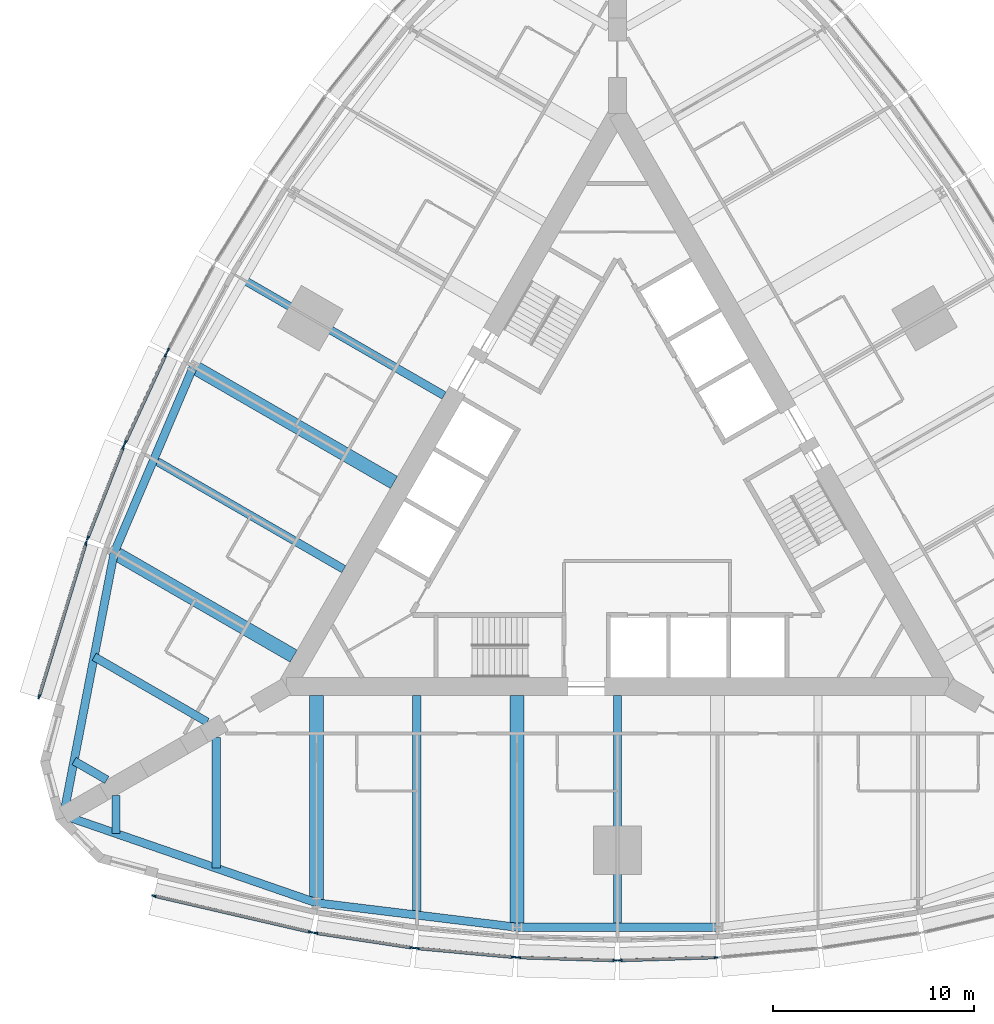
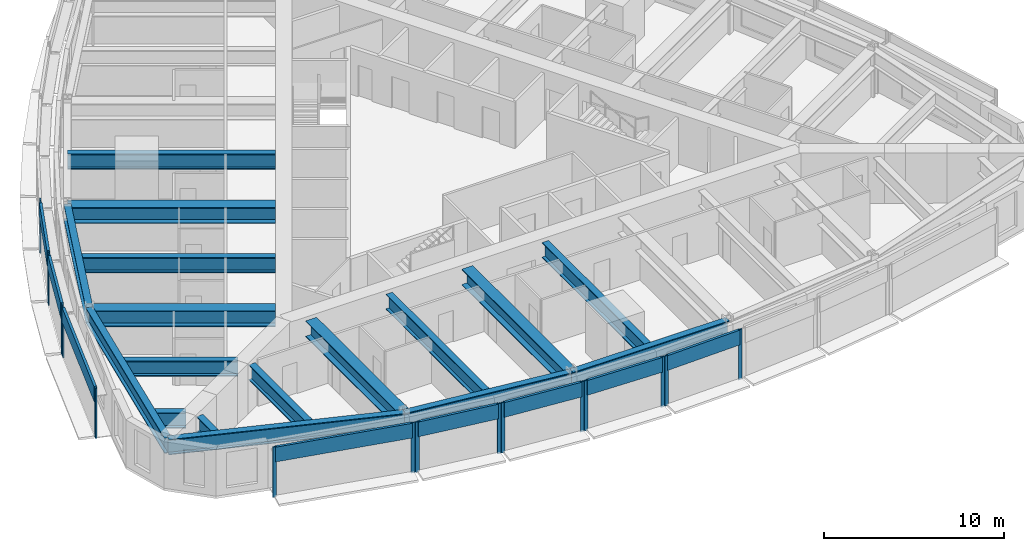
# One storey, part 2 of 14: 25 members, 17 beams, 9 elements without a shape of their own.
"""IFC4 building model written with IfcOpenShell, lengths in metres."""

import ifcopenshell
import ifcopenshell.guid

model = None  # the IFC model being written
_history = None  # IfcOwnerHistory: only IFC2X3 demands one
_inside = {}  # id of a spatial element -> (the spatial element, [elements in it])
_under = {}  # id of a project, library or spatial element -> (it, [spatial elements below it])
_declared = {}  # id of a project -> (the project, [libraries it declares])
_typed = {}  # id of a type object -> (the type object, [elements of that type])
_made_of = {}  # id of a material, layer set ... -> (it, [elements and type objects made of it])


def new_model(schema):
    """Start an empty IFC model of exactly this schema.

    Asked for "IFC4X3", IfcOpenShell would pick the latest addendum, in which some entities
    have other attributes; the version numbers below select the first issue.
    IFC2X3 requires an IfcOwnerHistory on every rooted entity: one is made here for all.
    """
    global model, _history
    if schema == "IFC4X3":
        model = ifcopenshell.file(schema_version=(4, 3, 0, 0))
    else:
        model = ifcopenshell.file(schema=schema)
    _inside.clear()
    _under.clear()
    _declared.clear()
    _typed.clear()
    _made_of.clear()
    _history = None
    if model.schema == "IFC2X3":
        org = make("IfcOrganization", Name="unknown")
        user = make(
            "IfcPersonAndOrganization",
            ThePerson=make("IfcPerson", FamilyName="unknown"),
            TheOrganization=org,
        )
        app = make(
            "IfcApplication",
            ApplicationDeveloper=org,
            Version="unknown",
            ApplicationFullName="unknown",
            ApplicationIdentifier="unknown",
        )
        _history = make(
            "IfcOwnerHistory",
            OwningUser=user,
            OwningApplication=app,
            ChangeAction="ADDED",
            CreationDate=0,
        )
    return model


def make(cls, **values):
    """One entity of the class cls with the attributes given. An attribute that is None is left unset."""
    return model.create_entity(
        cls, **{name: value for name, value in values.items() if value is not None}
    )


def rooted(cls, **values):
    """An entity with a GlobalId (a new one), such as an element, a storey or a relation."""
    return make(cls, GlobalId=ifcopenshell.guid.new(), OwnerHistory=_history, **values)


def si_unit(unit_type, name, prefix=None):
    """IfcSIUnit, for example si_unit("LENGTHUNIT", "METRE", prefix="MILLI")."""
    return make("IfcSIUnit", UnitType=unit_type, Prefix=prefix, Name=name)


def assignment(units):
    """IfcUnitAssignment: the units of a project."""
    return None if units is None else make("IfcUnitAssignment", Units=units)


def point(xyz):
    """IfcCartesianPoint."""
    return None if xyz is None else make("IfcCartesianPoint", Coordinates=xyz)


def direction(xyz):
    """IfcDirection."""
    return None if xyz is None else make("IfcDirection", DirectionRatios=xyz)


def frame(location, z_axis=None, x_axis=None):
    """IfcAxis2Placement3D, a coordinate frame: its origin and axes. An axis left out is left unset."""
    return make(
        "IfcAxis2Placement3D",
        Location=point(location),
        Axis=direction(z_axis),
        RefDirection=direction(x_axis),
    )


def frame_2d(location, x_axis=None):
    """IfcAxis2Placement2D, a coordinate frame in the plane: its origin and x axis."""
    return make(
        "IfcAxis2Placement2D", Location=point(location), RefDirection=direction(x_axis)
    )


def origin():
    """The frame at (0, 0, 0) with its axes left unset."""
    return frame((0.0, 0.0, 0.0))


def origin_2d():
    """The frame at (0, 0) in the plane with its x axis left unset."""
    return frame_2d((0.0, 0.0))


def place(relative_to, where):
    """IfcLocalPlacement: puts the frame where relative to a parent placement (None: the world)."""
    return make(
        "IfcLocalPlacement", PlacementRelTo=relative_to, RelativePlacement=where
    )


def context(
    kind, dimensions, precision=None, world=None, true_north=None, identifier=None
):
    """IfcGeometricRepresentationContext, for example the 3D "Model" context."""
    return make(
        "IfcGeometricRepresentationContext",
        ContextIdentifier=identifier,
        ContextType=kind,
        CoordinateSpaceDimension=dimensions,
        Precision=precision,
        WorldCoordinateSystem=world,
        TrueNorth=true_north,
    )


def subcontext(parent, identifier, kind, view, scale=None):
    """IfcGeometricRepresentationSubContext, for example "Body" below "Model"."""
    return make(
        "IfcGeometricRepresentationSubContext",
        ContextIdentifier=identifier,
        ContextType=kind,
        ParentContext=parent,
        TargetScale=scale,
        TargetView=view,
    )


def project(units=None, contexts=None):
    """IfcProject with its units and contexts."""
    return rooted(
        "IfcProject",
        Name="project",
        RepresentationContexts=contexts,
        UnitsInContext=assignment(units),
    )


def spatial(cls, under=None, at=None, **own):
    """A site, building, storey or space (cls), placed at a placement, below another one or the project."""
    s = rooted(cls, ObjectPlacement=at, **own)
    if under is not None:
        _under.setdefault(under.id(), (under, []))[1].append(s)
    return s


def profile(cls, at=None, kind="AREA", **sizes):
    """A parametric profile (cls). Its sizes go by their IFC names, for example OverallWidth=200.0."""
    return make(cls, ProfileType=kind, Position=at, **sizes)


def rectangle(**sizes):
    """IfcRectangleProfileDef."""
    return profile("IfcRectangleProfileDef", **sizes)


def i_section(**sizes):
    """IfcIShapeProfileDef."""
    return profile("IfcIShapeProfileDef", **sizes)


def extrude(swept, where, along, depth):
    """IfcExtrudedAreaSolid: the profile swept, set in the frame where, extruded along a direction by depth."""
    return make(
        "IfcExtrudedAreaSolid",
        SweptArea=swept,
        Position=where,
        ExtrudedDirection=direction(along),
        Depth=depth,
    )


def shape(context_of_items, identifier, shape_type, items):
    """IfcShapeRepresentation: the items that make up one representation, for example the "Body"."""
    return make(
        "IfcShapeRepresentation",
        ContextOfItems=context_of_items,
        RepresentationIdentifier=identifier,
        RepresentationType=shape_type,
        Items=items,
    )


def material(Name=None, Category=None):
    """IfcMaterial."""
    return make("IfcMaterial", Name=Name, Category=Category)


def material_profile(
    of_material, cross_section, Name=None, Category=None, Priority=None
):
    """IfcMaterialProfile: a cross section and its material."""
    return make(
        "IfcMaterialProfile",
        Name=Name,
        Material=of_material,
        Profile=cross_section,
        Priority=Priority,
        Category=Category,
    )


def profile_set(profiles, Name=None, composite=None):
    """IfcMaterialProfileSet."""
    return make(
        "IfcMaterialProfileSet",
        Name=Name,
        MaterialProfiles=profiles,
        CompositeProfile=composite,
    )


def made_of(thing, what):
    """Note that an element or type object is made of a material, layer set ...; save() writes the relation."""
    if what is not None:
        _made_of.setdefault(what.id(), (what, []))[1].append(thing)
    return thing


def type_object(cls, material=None, **own):
    """A type object (cls), such as IfcWallType, which elements share."""
    return made_of(rooted(cls, **own), material)


def element(
    cls,
    number,
    at=None,
    inside=None,
    cuts=None,
    type_object=None,
    material=None,
    context=None,
    identifier="Body",
    shape_type=None,
    held_by="IfcProductDefinitionShape",
    body=None,
    shapes=None,
    **own,
):
    """One element of the class cls, such as IfcWall. Its Tag is "e" and its number.

    at: its placement. inside: the storey or other place that contains it. cuts: it is an
    opening in that element (IfcRelVoidsElement). A single representation is given by context,
    identifier, shape_type and body (its items); several are given by shapes. held_by: the class
    of the entity that holds the representations. save() writes the other relations.
    """
    e = rooted(cls, Tag="e%d" % number, ObjectPlacement=at, **own)
    if body is not None:
        shapes = [shape(context, identifier, shape_type, body)]
    if shapes is not None:
        e.Representation = make(held_by, Representations=shapes)
    if inside is not None:
        _inside.setdefault(inside.id(), (inside, []))[1].append(e)
    if cuts is not None:
        rooted(
            "IfcRelVoidsElement", RelatingBuildingElement=cuts, RelatedOpeningElement=e
        )
    if type_object is not None:
        _typed.setdefault(type_object.id(), (type_object, []))[1].append(e)
    return made_of(e, material)


def aggregate(whole, parts):
    """IfcRelAggregates: a whole, such as a stair, and the parts it consists of."""
    return rooted("IfcRelAggregates", RelatingObject=whole, RelatedObjects=parts)


def save(model, path):
    """Write the relations noted so far, then the file.

    IfcRelAggregates (storeys below a building ...), IfcRelContainedInSpatialStructure (elements
    in a storey), IfcRelDefinesByType, IfcRelAssociatesMaterial and IfcRelDeclares: one each for
    every whole, place, type object, material and project.
    """
    for whole, parts in _under.values():
        aggregate(whole, parts)
    for where, things in _inside.values():
        rooted(
            "IfcRelContainedInSpatialStructure",
            RelatedElements=things,
            RelatingStructure=where,
        )
    for kind, things in _typed.values():
        rooted("IfcRelDefinesByType", RelatedObjects=things, RelatingType=kind)
    for what, things in _made_of.values():
        rooted("IfcRelAssociatesMaterial", RelatedObjects=things, RelatingMaterial=what)
    for by, libraries in _declared.values():
        rooted("IfcRelDeclares", RelatingContext=by, RelatedDefinitions=libraries)
    model.write(path)


model = new_model("IFC4")

# Units and contexts
model_context = context("Model", 3, precision=1e-05, world=origin(), true_north=direction((0.0, 1.0)))
body_context = subcontext(model_context, "Body", "Model", "MODEL_VIEW")
ifc_project = project(units=[si_unit("LENGTHUNIT", "METRE"), si_unit("AREAUNIT", "SQUARE_METRE"), si_unit("VOLUMEUNIT", "CUBIC_METRE"), si_unit("PLANEANGLEUNIT", "RADIAN"), si_unit("MASSUNIT", "GRAM", prefix="KILO")], contexts=[model_context])

# Site, building, storey
site_placement = place(None, origin())
site = spatial("IfcSite", under=ifc_project, at=site_placement, CompositionType="ELEMENT")
building_placement = place(site_placement, origin())
building = spatial("IfcBuilding", under=site, at=building_placement, Name="Trikona Tower", CompositionType="ELEMENT")
storey_placement = place(building_placement, frame((0.0, 0.0, 99.89990234375)))
storey = spatial("IfcBuildingStorey", under=building, at=storey_placement, Name="L26", CompositionType="ELEMENT", Elevation=99.89990234375)

# Curtain wall, members
ifc_material_1 = material(Name="Aluminium curtain wall system", Category="aluminium")
curtain_wall_type = type_object("IfcCurtainWallType", Name="Curtain wall DS1S", PredefinedType="NOTDEFINED", material=ifc_material_1)
curtain_wall_1_placement = place(storey_placement, origin())
curtain_wall_1 = element("IfcCurtainWall", 1, at=curtain_wall_1_placement, inside=storey, type_object=curtain_wall_type, Name="Curtain wall DS1S L26", PredefinedType="NOTDEFINED")
ifc_material_2 = material(Name="Aluminium mullion, pale anodised", Category="aluminium")
ifc_material_profile_1 = material_profile(ifc_material_2, rectangle(XDim=0.080078125, YDim=0.219970703125, at=origin_2d()), Name="MUL-DS1S")
ifc_profile_set_1 = profile_set([ifc_material_profile_1], Name="Aluminium mullion, pale anodised")
member_type_1 = type_object("IfcMemberType", Name="Mullion DS1S 80x220", PredefinedType="MULLION", material=ifc_profile_set_1)
member_1_placement = place(storey_placement, frame((-23.10546875, -19.951904296875, 0.0), z_axis=(0.0, 0.0, 1.0), x_axis=(0.225343288756, 0.974279427173, 0.0)))
member_1 = element("IfcMember", 2, at=member_1_placement, type_object=member_type_1, Name="CW-DS1S mullion 1", PredefinedType="MULLION", context=body_context, shape_type="SweptSolid", body=[
    extrude(rectangle(XDim=0.080078125, YDim=0.219970703125, at=origin_2d()), origin(), (0.0, 0.0, 1.0), 3.400146484375),
])
member_2_placement = place(storey_placement, frame((-15.30029296875, -21.75732421875, 0.0), z_axis=(0.0, 0.0, 1.0), x_axis=(0.225343288756, 0.974279427173, 0.0)))
member_2 = element("IfcMember", 3, at=member_2_placement, type_object=member_type_1, Name="CW-DS1S mullion 2", PredefinedType="MULLION", context=body_context, shape_type="SweptSolid", body=[
    extrude(rectangle(XDim=0.080078125, YDim=0.219970703125, at=origin_2d()), origin(), (0.0, 0.0, 1.0), 3.400146484375),
])

curtain_wall_2_placement = place(storey_placement, origin())
curtain_wall_2 = element("IfcCurtainWall", 4, at=curtain_wall_2_placement, inside=storey, type_object=curtain_wall_type, Name="Curtain wall DS1S L26", PredefinedType="NOTDEFINED")
member_3_placement = place(storey_placement, frame((-15.03662109375, -21.807861328125, 0.0), z_axis=(0.0, 0.0, 1.0), x_axis=(0.150437693845, 0.988619492156, 0.0)))
member_3 = element("IfcMember", 5, at=member_3_placement, type_object=member_type_1, Name="CW-DS1S mullion 1", PredefinedType="MULLION", context=body_context, shape_type="SweptSolid", body=[
    extrude(rectangle(XDim=0.080078125, YDim=0.219970703125, at=origin_2d()), origin(), (0.0, 0.0, 1.0), 3.400146484375),
])
member_4_placement = place(storey_placement, frame((-10.234130859375, -22.53857421875, 0.0), z_axis=(0.0, 0.0, 1.0), x_axis=(0.150437693845, 0.988619492156, 0.0)))
member_4 = element("IfcMember", 6, at=member_4_placement, type_object=member_type_1, Name="CW-DS1S mullion 2", PredefinedType="MULLION", context=body_context, shape_type="SweptSolid", body=[
    extrude(rectangle(XDim=0.080078125, YDim=0.219970703125, at=origin_2d()), origin(), (0.0, 0.0, 1.0), 3.400146484375),
])

curtain_wall_3_placement = place(storey_placement, origin())
curtain_wall_3 = element("IfcCurtainWall", 7, at=curtain_wall_3_placement, inside=storey, type_object=curtain_wall_type, Name="Curtain wall DS1S L26", PredefinedType="NOTDEFINED")
member_5_placement = place(storey_placement, frame((-9.982177734375, -22.5693359375, 0.0), z_axis=(0.0, 0.0, 1.0), x_axis=(0.090923932737, 0.995857840485, 0.0)))
member_5 = element("IfcMember", 8, at=member_5_placement, type_object=member_type_1, Name="CW-DS1S mullion 1", PredefinedType="MULLION", context=body_context, shape_type="SweptSolid", body=[
    extrude(rectangle(XDim=0.080078125, YDim=0.219970703125, at=origin_2d()), origin(), (0.0, 0.0, 1.0), 3.400146484375),
])
member_6_placement = place(storey_placement, frame((-5.181396484375, -23.007568359375, 0.0), z_axis=(0.0, 0.0, 1.0), x_axis=(0.090923932737, 0.995857840485, 0.0)))
member_6 = element("IfcMember", 9, at=member_6_placement, type_object=member_type_1, Name="CW-DS1S mullion 2", PredefinedType="MULLION", context=body_context, shape_type="SweptSolid", body=[
    extrude(rectangle(XDim=0.080078125, YDim=0.219970703125, at=origin_2d()), origin(), (0.0, 0.0, 1.0), 3.400146484375),
])

curtain_wall_4_placement = place(storey_placement, origin())
curtain_wall_4 = element("IfcCurtainWall", 10, at=curtain_wall_4_placement, inside=storey, type_object=curtain_wall_type, Name="Curtain wall DS1S L26", PredefinedType="NOTDEFINED")
member_7_placement = place(storey_placement, frame((-4.927490234375, -23.02294921875, 0.0), z_axis=(0.0, 0.0, 1.0), x_axis=(0.030436711692, 0.999536695965, 0.0)))
member_7 = element("IfcMember", 11, at=member_7_placement, type_object=member_type_1, Name="CW-DS1S mullion 1", PredefinedType="MULLION", context=body_context, shape_type="SweptSolid", body=[
    extrude(rectangle(XDim=0.080078125, YDim=0.219970703125, at=origin_2d()), origin(), (0.0, 0.0, 1.0), 3.400146484375),
])
member_8_placement = place(storey_placement, frame((-0.12744140625, -23.169189453125, 0.0), z_axis=(0.0, 0.0, 1.0), x_axis=(0.030436711692, 0.999536695965, 0.0)))
member_8 = element("IfcMember", 12, at=member_8_placement, type_object=member_type_1, Name="CW-DS1S mullion 2", PredefinedType="MULLION", context=body_context, shape_type="SweptSolid", body=[
    extrude(rectangle(XDim=0.080078125, YDim=0.219970703125, at=origin_2d()), origin(), (0.0, 0.0, 1.0), 3.400146484375),
])

curtain_wall_5_placement = place(storey_placement, origin())
curtain_wall_5 = element("IfcCurtainWall", 13, at=curtain_wall_5_placement, inside=storey, type_object=curtain_wall_type, Name="Curtain wall DS1S L26", PredefinedType="NOTDEFINED")
member_9_placement = place(storey_placement, frame((0.12744140625, -23.169189453125, 0.0), z_axis=(0.0, 0.0, 1.0), x_axis=(-0.030436711692, 0.999536695965, 0.0)))
member_9 = element("IfcMember", 14, at=member_9_placement, type_object=member_type_1, Name="CW-DS1S mullion 1", PredefinedType="MULLION", context=body_context, shape_type="SweptSolid", body=[
    extrude(rectangle(XDim=0.080078125, YDim=0.219970703125, at=origin_2d()), origin(), (0.0, 0.0, 1.0), 3.400146484375),
])
member_10_placement = place(storey_placement, frame((4.927490234375, -23.02294921875, 0.0), z_axis=(0.0, 0.0, 1.0), x_axis=(-0.030436711692, 0.999536695965, 0.0)))
member_10 = element("IfcMember", 15, at=member_10_placement, type_object=member_type_1, Name="CW-DS1S mullion 2", PredefinedType="MULLION", context=body_context, shape_type="SweptSolid", body=[
    extrude(rectangle(XDim=0.080078125, YDim=0.219970703125, at=origin_2d()), origin(), (0.0, 0.0, 1.0), 3.400146484375),
])

# Curtain wall, member
curtain_wall_6_placement = place(storey_placement, origin())
curtain_wall_6 = element("IfcCurtainWall", 16, at=curtain_wall_6_placement, inside=storey, type_object=curtain_wall_type, Name="Curtain wall DS1S L26", PredefinedType="NOTDEFINED")
member_11_placement = place(storey_placement, frame((-22.402099609375, 7.244140625, 0.0), z_axis=(0.0, 0.0, 1.0), x_axis=(0.880843080975, -0.473408350896, 0.0)))
member_11 = element("IfcMember", 17, at=member_11_placement, type_object=member_type_1, Name="CW-DS1S mullion 2", PredefinedType="MULLION", context=body_context, shape_type="SweptSolid", body=[
    extrude(rectangle(XDim=0.080078125, YDim=0.219970703125, at=origin_2d()), origin(), (0.0, 0.0, 1.0), 3.400146484375),
])
aggregate(curtain_wall_6, [member_11])

# Curtain wall, members
curtain_wall_7_placement = place(storey_placement, origin())
curtain_wall_7 = element("IfcCurtainWall", 18, at=curtain_wall_7_placement, inside=storey, type_object=curtain_wall_type, Name="Curtain wall DS1S L26", PredefinedType="NOTDEFINED")
member_12_placement = place(storey_placement, frame((-22.515869140625, 7.0166015625, 0.0), z_axis=(0.0, 0.0, 1.0), x_axis=(0.907898459992, -0.419190155352, 0.0)))
member_12 = element("IfcMember", 19, at=member_12_placement, type_object=member_type_1, Name="CW-DS1S mullion 1", PredefinedType="MULLION", context=body_context, shape_type="SweptSolid", body=[
    extrude(rectangle(XDim=0.080078125, YDim=0.219970703125, at=origin_2d()), origin(), (0.0, 0.0, 1.0), 3.400146484375),
])
member_13_placement = place(storey_placement, frame((-24.53662109375, 2.6396484375, 0.0), z_axis=(0.0, 0.0, 1.0), x_axis=(0.907898459992, -0.419190155352, 0.0)))
member_13 = element("IfcMember", 20, at=member_13_placement, type_object=member_type_1, Name="CW-DS1S mullion 2", PredefinedType="MULLION", context=body_context, shape_type="SweptSolid", body=[
    extrude(rectangle(XDim=0.080078125, YDim=0.219970703125, at=origin_2d()), origin(), (0.0, 0.0, 1.0), 3.400146484375),
])

curtain_wall_8_placement = place(storey_placement, origin())
curtain_wall_8 = element("IfcCurtainWall", 21, at=curtain_wall_8_placement, inside=storey, type_object=curtain_wall_type, Name="Curtain wall DS1S L26", PredefinedType="NOTDEFINED")
member_14_placement = place(storey_placement, frame((-24.63623046875, 2.40625, 0.0), z_axis=(0.0, 0.0, 1.0), x_axis=(0.931395989443, -0.36400756977, 0.0)))
member_14 = element("IfcMember", 22, at=member_14_placement, type_object=member_type_1, Name="CW-DS1S mullion 1", PredefinedType="MULLION", context=body_context, shape_type="SweptSolid", body=[
    extrude(rectangle(XDim=0.080078125, YDim=0.219970703125, at=origin_2d()), origin(), (0.0, 0.0, 1.0), 3.400146484375),
])
member_15_placement = place(storey_placement, frame((-26.404296875, -2.1181640625, 0.0), z_axis=(0.0, 0.0, 1.0), x_axis=(0.931395989443, -0.36400756977, 0.0)))
member_15 = element("IfcMember", 23, at=member_15_placement, type_object=member_type_1, Name="CW-DS1S mullion 2", PredefinedType="MULLION", context=body_context, shape_type="SweptSolid", body=[
    extrude(rectangle(XDim=0.080078125, YDim=0.219970703125, at=origin_2d()), origin(), (0.0, 0.0, 1.0), 3.400146484375),
])

curtain_wall_9_placement = place(storey_placement, origin())
curtain_wall_9 = element("IfcCurtainWall", 24, at=curtain_wall_9_placement, inside=storey, type_object=curtain_wall_type, Name="Curtain wall DS1S L26", PredefinedType="NOTDEFINED")
member_16_placement = place(storey_placement, frame((-26.492431640625, -2.371826171875, 0.0), z_axis=(0.0, 0.0, 1.0), x_axis=(0.956423115383, -0.291984287868, 0.0)))
member_16 = element("IfcMember", 25, at=member_16_placement, type_object=member_type_1, Name="CW-DS1S mullion 1", PredefinedType="MULLION", context=body_context, shape_type="SweptSolid", body=[
    extrude(rectangle(XDim=0.080078125, YDim=0.219970703125, at=origin_2d()), origin(), (0.0, 0.0, 1.0), 3.400146484375),
])
member_17_placement = place(storey_placement, frame((-28.83154296875, -10.033935546875, 0.0), z_axis=(0.0, 0.0, 1.0), x_axis=(0.956423115383, -0.291984287868, 0.0)))
member_17 = element("IfcMember", 26, at=member_17_placement, type_object=member_type_1, Name="CW-DS1S mullion 2", PredefinedType="MULLION", context=body_context, shape_type="SweptSolid", body=[
    extrude(rectangle(XDim=0.080078125, YDim=0.219970703125, at=origin_2d()), origin(), (0.0, 0.0, 1.0), 3.400146484375),
])

# Beams
ifc_material_3 = material(Name="Steel ASTM A992 Grade 50", Category="steel")
ifc_material_profile_2 = material_profile(ifc_material_3, i_section(OverallWidth=0.699951171875, OverallDepth=1.10009765625, WebThickness=0.0400390625, FlangeThickness=0.06005859375, at=origin_2d()), Name="PG1100X700")
ifc_profile_set_2 = profile_set([ifc_material_profile_2], Name="Steel ASTM A992 Grade 50")
beam_type_1 = type_object("IfcBeamType", Name="Steel beam PG1100x700 (belt chord radial)", PredefinedType="BEAM", material=ifc_profile_set_2)
beam_1_placement = place(storey_placement, frame((-15.0, -9.976318359375, 2.60009765625), z_axis=(0.0, -1.0, 0.0), x_axis=(1.0, 0.0, 0.0)))
element("IfcBeam", 27, at=beam_1_placement, inside=storey, type_object=beam_type_1, Name="Floor beam L27 F1 u-15", PredefinedType="BEAM", context=body_context, shape_type="SweptSolid", body=[
    extrude(i_section(OverallWidth=0.699951171875, OverallDepth=1.10009765625, WebThickness=0.0400390625, FlangeThickness=0.06005859375, at=origin_2d()), origin(), (0.0, 0.0, 1.0), 10.32666015625),
])
for number, where, z_axis, x_axis, name in (
    (28, (-5.0, -9.976318359375, 2.60009765625), (0.0, -1.0, 0.0), (1.0, 0.0, 0.0), "Floor beam L27 F1 u-5"),
    (29, (-11.1396484375, 0.657958984375, 2.60009765625), (-0.866020765707, 0.500008033299, 0.0), (-0.500008033299, -0.866020765707, 0.0), "Floor beam L27 F3 u5"),
):
    element("IfcBeam", number, at=place(storey_placement, frame(where, z_axis=z_axis, x_axis=x_axis)), inside=storey, type_object=beam_type_1, Name=name, PredefinedType="BEAM", context=body_context, shape_type="SweptSolid", body=[
        extrude(i_section(OverallWidth=0.699951171875, OverallDepth=1.10009765625, WebThickness=0.0400390625, FlangeThickness=0.06005859375, at=origin_2d()), origin(), (0.0, 0.0, 1.0), 11.544189453125),
    ])
beam_2_placement = place(storey_placement, frame((-16.1396484375, -8.002197265625, 2.60009765625), z_axis=(-0.866030471684, 0.499991222037, 0.0), x_axis=(-0.499991222037, -0.866030471684, 0.0)))
element("IfcBeam", 30, at=beam_2_placement, inside=storey, type_object=beam_type_1, Name="Floor beam L27 F3 u15", PredefinedType="BEAM", context=body_context, shape_type="SweptSolid", body=[
    extrude(i_section(OverallWidth=0.699951171875, OverallDepth=1.10009765625, WebThickness=0.0400390625, FlangeThickness=0.06005859375, at=origin_2d()), origin(), (0.0, 0.0, 1.0), 10.326904296875),
])
ifc_material_4 = material(Name="Steel ASTM A992 Grade 50", Category="steel")
ifc_material_profile_3 = material_profile(ifc_material_4, i_section(OverallWidth=0.408935546875, OverallDepth=1.04150390625, WebThickness=0.031005859375, FlangeThickness=0.055908203125, at=origin_2d()), Name="W40X397")
ifc_profile_set_3 = profile_set([ifc_material_profile_3], Name="Steel ASTM A992 Grade 50")
beam_type_2 = type_object("IfcBeamType", Name="Steel beam W40x397 (plant spandrel)", PredefinedType="SPANDREL", material=ifc_profile_set_3)
beam_3_placement = place(storey_placement, frame((-27.6103515625, -15.94091796875, 2.62939453125), z_axis=(0.945056965739, -0.326905692071, 0.0), x_axis=(0.326905692071, 0.945056965739, 0.0)))
element("IfcBeam", 31, at=beam_3_placement, inside=storey, type_object=beam_type_2, Name="Spandrel beam L27 F1-1", PredefinedType="SPANDREL", context=body_context, shape_type="SweptSolid", body=[
    extrude(i_section(OverallWidth=0.408935546875, OverallDepth=1.04150390625, WebThickness=0.031005859375, FlangeThickness=0.055908203125, at=origin_2d()), origin(), (0.0, 0.0, 1.0), 13.343505859375),
])
beam_4_placement = place(storey_placement, frame((-15.0, -20.302978515625, 2.62939453125), z_axis=(0.99266951126, -0.120860421207, 0.0), x_axis=(0.120860421207, 0.99266951126, 0.0)))
element("IfcBeam", 32, at=beam_4_placement, inside=storey, type_object=beam_type_2, Name="Spandrel beam L27 F1-2", PredefinedType="SPANDREL", context=body_context, shape_type="SweptSolid", body=[
    extrude(i_section(OverallWidth=0.408935546875, OverallDepth=1.04150390625, WebThickness=0.031005859375, FlangeThickness=0.055908203125, at=origin_2d()), origin(), (0.0, 0.0, 1.0), 10.07373046875),
])
beam_5_placement = place(storey_placement, frame((-5.0, -21.5205078125, 2.62939453125), z_axis=(1.0, 0.0, 0.0), x_axis=(0.0, 1.0, 0.0)))
element("IfcBeam", 33, at=beam_5_placement, inside=storey, type_object=beam_type_2, Name="Spandrel beam L27 F1-3", PredefinedType="SPANDREL", context=body_context, shape_type="SweptSolid", body=[
    extrude(i_section(OverallWidth=0.408935546875, OverallDepth=1.04150390625, WebThickness=0.031005859375, FlangeThickness=0.055908203125, at=origin_2d()), origin(), (0.0, 0.0, 1.0), 10.0),
])
beam_6_placement = place(storey_placement, frame((-21.13720703125, 6.43017578125, 2.62939453125), z_axis=(-0.391683514847, -0.920100007715, 0.0), x_axis=(0.920100007715, -0.391683514847, 0.0)))
element("IfcBeam", 34, at=beam_6_placement, inside=storey, type_object=beam_type_2, Name="Spandrel beam L27 F3-4", PredefinedType="SPANDREL", context=body_context, shape_type="SweptSolid", body=[
    extrude(i_section(OverallWidth=0.408935546875, OverallDepth=1.04150390625, WebThickness=0.031005859375, FlangeThickness=0.055908203125, at=origin_2d()), origin(), (0.0, 0.0, 1.0), 10.073974609375),
])
beam_7_placement = place(storey_placement, frame((-25.0830078125, -2.8388671875, 2.62939453125), z_axis=(-0.189405184036, -0.981899015307, 0.0), x_axis=(0.981899015307, -0.189405184036, 0.0)))
element("IfcBeam", 35, at=beam_7_placement, inside=storey, type_object=beam_type_2, Name="Spandrel beam L27 F3-5", PredefinedType="SPANDREL", context=body_context, shape_type="SweptSolid", body=[
    extrude(i_section(OverallWidth=0.408935546875, OverallDepth=1.04150390625, WebThickness=0.031005859375, FlangeThickness=0.055908203125, at=origin_2d()), origin(), (0.0, 0.0, 1.0), 13.343505859375),
])
ifc_material_5 = material(Name="Steel ASTM A992 Grade 50", Category="steel")
ifc_material_profile_4 = material_profile(ifc_material_5, i_section(OverallWidth=0.408935546875, OverallDepth=1.04150390625, WebThickness=0.031005859375, FlangeThickness=0.055908203125, at=origin_2d()), Name="W40X397")
ifc_profile_set_4 = profile_set([ifc_material_profile_4], Name="Steel ASTM A992 Grade 50")
beam_type_3 = type_object("IfcBeamType", Name="Steel beam W40x397 (plant)", PredefinedType="BEAM", material=ifc_profile_set_4)
beam_8_placement = place(storey_placement, frame((-10.0, -9.976318359375, 2.62939453125), z_axis=(0.0, -1.0, 0.0), x_axis=(1.0, 0.0, 0.0)))
element("IfcBeam", 36, at=beam_8_placement, inside=storey, type_object=beam_type_3, Name="Floor beam L27 F1 u-10", PredefinedType="BEAM", context=body_context, shape_type="SweptSolid", body=[
    extrude(i_section(OverallWidth=0.408935546875, OverallDepth=1.04150390625, WebThickness=0.031005859375, FlangeThickness=0.055908203125, at=origin_2d()), origin(), (0.0, 0.0, 1.0), 10.935302734375),
])
for number, where, z_axis, x_axis, name in (
    (37, (0.0, -9.976318359375, 2.62939453125), (0.0, -1.0, 0.0), (1.0, 0.0, 0.0), "Floor beam L27 F1 u0"),
    (38, (-8.6396484375, 4.988037109375, 2.62939453125), (-0.866020765707, 0.500008033299, 0.0), (-0.500008033299, -0.866020765707, 0.0), "Floor beam L27 F3 u0"),
):
    element("IfcBeam", number, at=place(storey_placement, frame(where, z_axis=z_axis, x_axis=x_axis)), inside=storey, type_object=beam_type_3, Name=name, PredefinedType="BEAM", context=body_context, shape_type="SweptSolid", body=[
        extrude(i_section(OverallWidth=0.408935546875, OverallDepth=1.04150390625, WebThickness=0.031005859375, FlangeThickness=0.055908203125, at=origin_2d()), origin(), (0.0, 0.0, 1.0), 11.544189453125),
    ])
beam_9_placement = place(storey_placement, frame((-13.6396484375, -3.672119140625, 2.62939453125), z_axis=(-0.866025348605, 0.500000095573, 0.0), x_axis=(-0.500000095573, -0.866025348605, 0.0)))
element("IfcBeam", 39, at=beam_9_placement, inside=storey, type_object=beam_type_3, Name="Floor beam L27 F3 u10", PredefinedType="BEAM", context=body_context, shape_type="SweptSolid", body=[
    extrude(i_section(OverallWidth=0.408935546875, OverallDepth=1.04150390625, WebThickness=0.031005859375, FlangeThickness=0.055908203125, at=origin_2d()), origin(), (0.0, 0.0, 1.0), 10.935546875),
])
ifc_material_6 = material(Name="Steel ASTM A992 Grade 50", Category="steel")
ifc_material_profile_5 = material_profile(ifc_material_6, i_section(OverallWidth=0.411376953125, OverallDepth=1.049072265625, WebThickness=0.033935546875, FlangeThickness=0.06005859375, at=origin_2d()), Name="W40X431")
ifc_profile_set_5 = profile_set([ifc_material_profile_5], Name="Steel ASTM A992 Grade 50")
beam_type_4 = type_object("IfcBeamType", Name="Steel beam W40x431 (plant wedge)", PredefinedType="BEAM", material=ifc_profile_set_5)
beam_10_placement = place(storey_placement, frame((-25.0, -14.953369140625, 2.62548828125), z_axis=(0.0, -1.0, 0.0), x_axis=(1.0, 0.0, 0.0)))
element("IfcBeam", 40, at=beam_10_placement, inside=storey, type_object=beam_type_4, Name="Floor beam L27 F1 u-25", PredefinedType="BEAM", context=body_context, shape_type="SweptSolid", body=[
    extrude(i_section(OverallWidth=0.411376953125, OverallDepth=1.049072265625, WebThickness=0.033935546875, FlangeThickness=0.06005859375, at=origin_2d()), origin(), (0.0, 0.0, 1.0), 1.890380859375),
])
for number, where, z_axis, x_axis, name in (
    (41, (-20.0, -12.066650390625, 2.62548828125), (0.0, -1.0, 0.0), (1.0, 0.0, 0.0), "Floor beam L27 F1 u-20"),
    (42, (-20.449951171875, -11.287109375, 2.62548828125), (-0.866022504693, 0.50000502134, 0.0), (-0.50000502134, -0.866022504693, 0.0), "Floor beam L27 F3 u20"),
):
    element("IfcBeam", number, at=place(storey_placement, frame(where, z_axis=z_axis, x_axis=x_axis)), inside=storey, type_object=beam_type_4, Name=name, PredefinedType="BEAM", context=body_context, shape_type="SweptSolid", body=[
        extrude(i_section(OverallWidth=0.411376953125, OverallDepth=1.049072265625, WebThickness=0.033935546875, FlangeThickness=0.06005859375, at=origin_2d()), origin(), (0.0, 0.0, 1.0), 6.5068359375),
    ])
beam_11_placement = place(storey_placement, frame((-25.449951171875, -14.173828125, 2.62548828125), z_axis=(-0.866065156741, 0.499931139538, 0.0), x_axis=(-0.499931139538, -0.866065156741, 0.0)))
element("IfcBeam", 43, at=beam_11_placement, inside=storey, type_object=beam_type_4, Name="Floor beam L27 F3 u25", PredefinedType="BEAM", context=body_context, shape_type="SweptSolid", body=[
    extrude(i_section(OverallWidth=0.411376953125, OverallDepth=1.049072265625, WebThickness=0.033935546875, FlangeThickness=0.06005859375, at=origin_2d()), origin(), (0.0, 0.0, 1.0), 1.890380859375),
])

# Member
ifc_material_7 = material(Name="Aluminium transom, pale anodised", Category="aluminium")
ifc_material_profile_6 = material_profile(ifc_material_7, rectangle(XDim=0.159912109375, YDim=1.0, at=origin_2d()), Name="TRN-DS1S")
ifc_profile_set_6 = profile_set([ifc_material_profile_6], Name="Aluminium transom, pale anodised")
member_type_2 = type_object("IfcMemberType", Name="Transom DS1S 1000x160", PredefinedType="USERDEFINED", material=ifc_profile_set_6)
member_18_placement = place(storey_placement, frame((-23.06640625, -19.9609375, 2.900146484375), z_axis=(0.974275371842, -0.225360821398, 0.0), x_axis=(0.225360821398, 0.974275371842, 0.0)))
member_18 = element("IfcMember", 44, at=member_18_placement, type_object=member_type_2, Name="CW-DS1S transom 1.1", ObjectType="TRANSOM", PredefinedType="USERDEFINED", context=body_context, shape_type="SweptSolid", body=[
    extrude(rectangle(XDim=0.159912109375, YDim=1.0, at=origin_2d()), origin(), (0.0, 0.0, 1.0), 7.93115234375),
])

aggregate(curtain_wall_1, [member_1, member_2, member_18])

member_19_placement = place(storey_placement, frame((-14.9970703125, -21.813720703125, 2.900146484375), z_axis=(0.988619663412, -0.150436568413, 0.0), x_axis=(0.150436568413, 0.988619663412, 0.0)))
member_19 = element("IfcMember", 45, at=member_19_placement, type_object=member_type_2, Name="CW-DS1S transom 1.1", ObjectType="TRANSOM", PredefinedType="USERDEFINED", context=body_context, shape_type="SweptSolid", body=[
    extrude(rectangle(XDim=0.159912109375, YDim=1.0, at=origin_2d()), origin(), (0.0, 0.0, 1.0), 4.77783203125),
])

aggregate(curtain_wall_2, [member_3, member_4, member_19])

member_20_placement = place(storey_placement, frame((-9.9423828125, -22.57275390625, 2.900146484375), z_axis=(0.995855977008, -0.090944340438, 0.0), x_axis=(0.090944340438, 0.995855977008, 0.0)))
member_20 = element("IfcMember", 46, at=member_20_placement, type_object=member_type_2, Name="CW-DS1S transom 1.1", ObjectType="TRANSOM", PredefinedType="USERDEFINED", context=body_context, shape_type="SweptSolid", body=[
    extrude(rectangle(XDim=0.159912109375, YDim=1.0, at=origin_2d()), origin(), (0.0, 0.0, 1.0), 4.74072265625),
])

aggregate(curtain_wall_3, [member_5, member_6, member_20])

member_21_placement = place(storey_placement, frame((-4.887451171875, -23.024169921875, 2.900146484375), z_axis=(0.999536232946, -0.030451913371, 0.0), x_axis=(0.030451913371, 0.999536232946, 0.0)))
member_21 = element("IfcMember", 47, at=member_21_placement, type_object=member_type_2, Name="CW-DS1S transom 1.1", ObjectType="TRANSOM", PredefinedType="USERDEFINED", context=body_context, shape_type="SweptSolid", body=[
    extrude(rectangle(XDim=0.159912109375, YDim=1.0, at=origin_2d()), origin(), (0.0, 0.0, 1.0), 4.72216796875),
])

aggregate(curtain_wall_4, [member_7, member_8, member_21])

member_22_placement = place(storey_placement, frame((0.16748046875, -23.16796875, 2.900146484375), z_axis=(0.999536232946, 0.030451913371, 0.0), x_axis=(-0.030451913371, 0.999536232946, 0.0)))
member_22 = element("IfcMember", 48, at=member_22_placement, type_object=member_type_2, Name="CW-DS1S transom 1.1", ObjectType="TRANSOM", PredefinedType="USERDEFINED", context=body_context, shape_type="SweptSolid", body=[
    extrude(rectangle(XDim=0.159912109375, YDim=1.0, at=origin_2d()), origin(), (0.0, 0.0, 1.0), 4.72216796875),
])

aggregate(curtain_wall_5, [member_9, member_10, member_22])

member_23_placement = place(storey_placement, frame((-22.53271484375, 6.980224609375, 2.900146484375), z_axis=(-0.419188800665, -0.90789908547, 0.0), x_axis=(0.90789908547, -0.419188800665, 0.0)))
member_23 = element("IfcMember", 49, at=member_23_placement, type_object=member_type_2, Name="CW-DS1S transom 1.1", ObjectType="TRANSOM", PredefinedType="USERDEFINED", context=body_context, shape_type="SweptSolid", body=[
    extrude(rectangle(XDim=0.159912109375, YDim=1.0, at=origin_2d()), origin(), (0.0, 0.0, 1.0), 4.74072265625),
])

aggregate(curtain_wall_7, [member_12, member_13, member_23])

member_24_placement = place(storey_placement, frame((-24.650634765625, 2.368896484375, 2.900146484375), z_axis=(-0.364048647668, -0.931379934362, 0.0), x_axis=(0.931379934362, -0.364048647668, 0.0)))
member_24 = element("IfcMember", 50, at=member_24_placement, type_object=member_type_2, Name="CW-DS1S transom 1.1", ObjectType="TRANSOM", PredefinedType="USERDEFINED", context=body_context, shape_type="SweptSolid", body=[
    extrude(rectangle(XDim=0.159912109375, YDim=1.0, at=origin_2d()), origin(), (0.0, 0.0, 1.0), 4.777587890625),
])

aggregate(curtain_wall_8, [member_14, member_15, member_24])

member_25_placement = place(storey_placement, frame((-26.504150390625, -2.409912109375, 2.900146484375), z_axis=(-0.291967490203, -0.956428243343, 0.0), x_axis=(0.956428243343, -0.291967490203, 0.0)))
member_25 = element("IfcMember", 51, at=member_25_placement, type_object=member_type_2, Name="CW-DS1S transom 1.1", ObjectType="TRANSOM", PredefinedType="USERDEFINED", context=body_context, shape_type="SweptSolid", body=[
    extrude(rectangle(XDim=0.159912109375, YDim=1.0, at=origin_2d()), origin(), (0.0, 0.0, 1.0), 7.93115234375),
])

aggregate(curtain_wall_9, [member_16, member_17, member_25])

save(model, "model.ifc")
